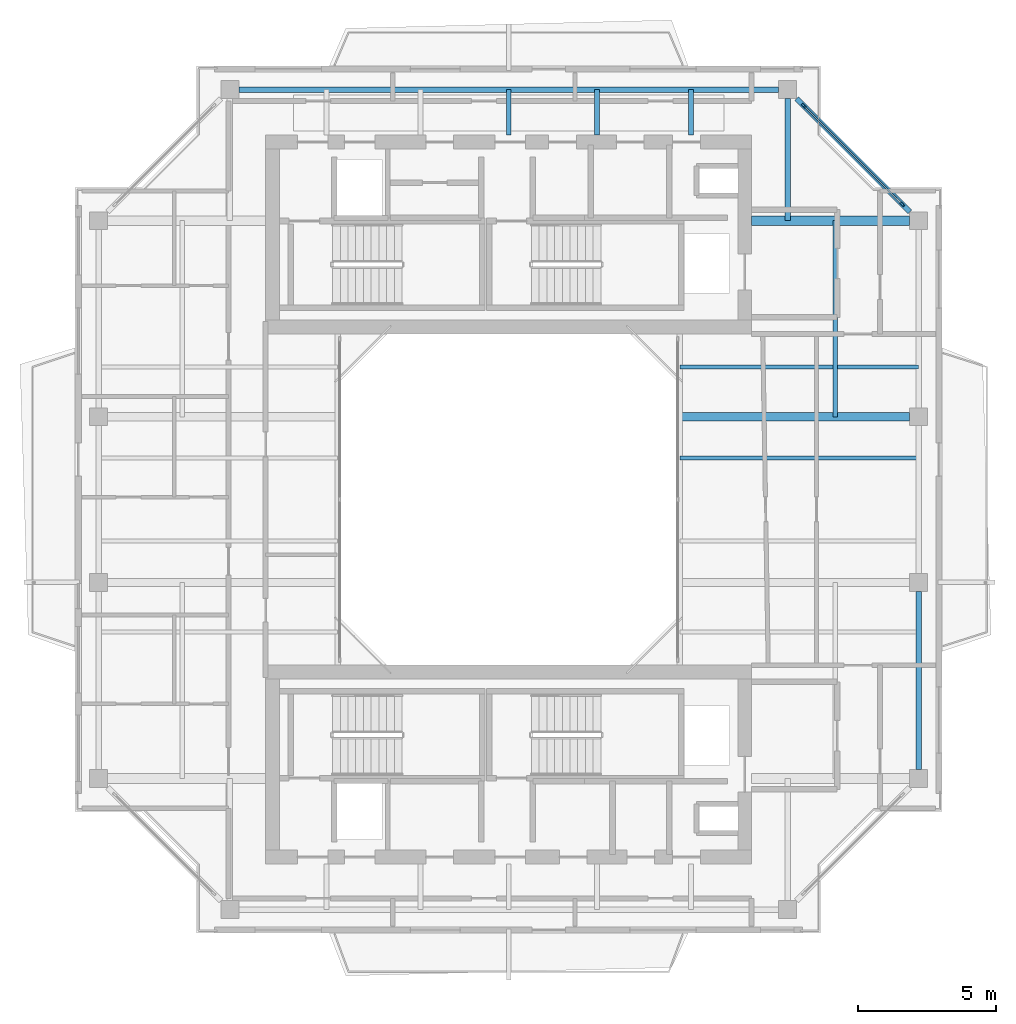
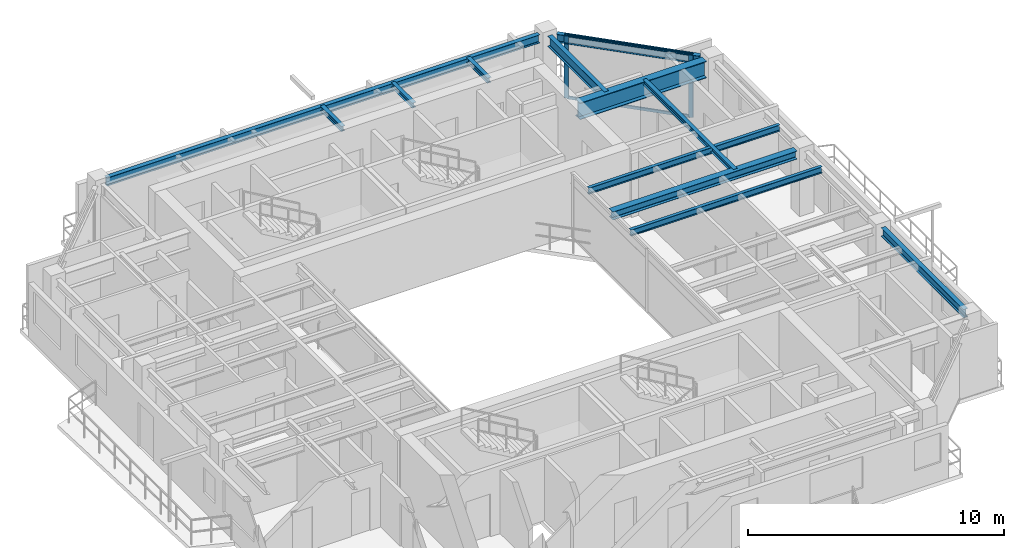
# One storey, part 6 of 14: 12 beams, 4 members, 1 element without a shape of its own.
"""IFC4 building model written with IfcOpenShell, lengths in metres."""

from ifc_helpers import new_model, si_unit, direction, frame, origin, origin_2d, place, context, subcontext, project, spatial, rectangle, i_section, extrude, source, transform, mapped, material, layer, layer_set, material_profile, profile_set, type_object, element, aggregate, save


model = new_model("IFC4")

# Units and contexts
model_context = context("Model", 3, precision=1e-05, world=origin(), true_north=direction((0.0, 1.0)))
body_context = subcontext(model_context, "Body", "Model", "MODEL_VIEW")
ifc_project = project(units=[si_unit("LENGTHUNIT", "METRE"), si_unit("AREAUNIT", "SQUARE_METRE"), si_unit("VOLUMEUNIT", "CUBIC_METRE"), si_unit("PLANEANGLEUNIT", "RADIAN"), si_unit("MASSUNIT", "GRAM", prefix="KILO"), si_unit("THERMODYNAMICTEMPERATUREUNIT", "KELVIN"), si_unit("POWERUNIT", "WATT")], contexts=[model_context])

# Site, building, storey
site_placement = place(None, origin())
site = spatial("IfcSite", under=ifc_project, at=site_placement, CompositionType="ELEMENT")
building_placement = place(site_placement, origin())
building = spatial("IfcBuilding", under=site, at=building_placement, Name="Qiaomeng Ring Towers", CompositionType="ELEMENT")
storey_placement = place(building_placement, frame((0.0, 0.0, 260.0)))
storey = spatial("IfcBuildingStorey", under=building, at=storey_placement, Name="L76", CompositionType="ELEMENT", Elevation=260.0)

# Beams
ifc_material_1 = material(Name="Steel Q355B", Category="steel")
ifc_material_profile_1 = material_profile(ifc_material_1, i_section(OverallWidth=0.198974609375, OverallDepth=0.39599609375, WebThickness=0.007080078125, FlangeThickness=0.010986328125, FilletRadius=0.01611328125, at=origin_2d()), Name="HN 396x199x7x11")
ifc_profile_set_1 = profile_set([ifc_material_profile_1], Name="Steel Q355B")
beam_type_1 = type_object("IfcBeamType", Name="STR-BM-HN396", PredefinedType="SPANDREL", material=ifc_profile_set_1)
shared_shape_1 = source(origin(), body_context, "Body", "SweptSolid", [
    extrude(i_section(OverallWidth=0.198974609375, OverallDepth=0.39599609375, WebThickness=0.007080078125, FlangeThickness=0.010986328125, FilletRadius=0.01611328125, at=origin_2d()), origin(), (0.0, 0.0, 1.0), 19.5517578125),
])
beam_1_placement = place(storey_placement, frame((28.77587890625, 37.85009765625, 2.83203125), z_axis=(-1.0, 0.0, 0.0), x_axis=(0.0, -1.0, 0.0)))
element("IfcBeam", 1, at=beam_1_placement, inside=storey, type_object=beam_type_1, Name="L76 beam STR-SP-L76-T1-N2-N1", PredefinedType="SPANDREL", context=body_context, shape_type="MappedRepresentation", body=[
    mapped(shared_shape_1, transform((0.0, 0.0, 0.0), x_axis=(1.0, 0.0, 0.0), y_axis=(0.0, 1.0, 0.0), z_axis=(0.0, 0.0, 1.0), scale=1.0)),
])
shared_shape_2 = source(origin(), body_context, "Body", "SweptSolid", [
    extrude(i_section(OverallWidth=0.198974609375, OverallDepth=0.39599609375, WebThickness=0.007080078125, FlangeThickness=0.010986328125, FilletRadius=0.01611328125, at=origin_2d()), origin(), (0.0, 0.0, 1.0), 5.800048828125),
])
beam_2_placement = place(storey_placement, frame((33.525634765625, 33.42431640625, 2.83203125), z_axis=(-0.707106781187, 0.707106781187, 0.0), x_axis=(-0.707106781187, -0.707106781187, 0.0)))
element("IfcBeam", 2, at=beam_2_placement, inside=storey, type_object=beam_type_1, Name="L76 beam STR-SP-L76-T1-E4-N2", PredefinedType="SPANDREL", context=body_context, shape_type="MappedRepresentation", body=[
    mapped(shared_shape_2, transform((0.0, 0.0, 0.0), x_axis=(1.0, 0.0, 0.0), y_axis=(0.0, 1.0, 0.0), z_axis=(0.0, 0.0, 1.0), scale=1.0)),
])
shared_shape_3 = source(origin(), body_context, "Body", "SweptSolid", [
    extrude(i_section(OverallWidth=0.198974609375, OverallDepth=0.39599609375, WebThickness=0.007080078125, FlangeThickness=0.010986328125, FilletRadius=0.01611328125, at=origin_2d()), origin(), (0.0, 0.0, 1.0), 6.451904296875),
])
beam_3_placement = place(storey_placement, frame((33.85009765625, 13.22412109375, 2.83203125), z_axis=(0.0, 1.0, 0.0), x_axis=(-1.0, 0.0, 0.0)))
element("IfcBeam", 3, at=beam_3_placement, inside=storey, type_object=beam_type_1, Name="L76 beam STR-SP-L76-T1-E1-E2", PredefinedType="SPANDREL", context=body_context, shape_type="MappedRepresentation", body=[
    mapped(shared_shape_3, transform((0.0, 0.0, 0.0), x_axis=(1.0, 0.0, 0.0), y_axis=(0.0, 1.0, 0.0), z_axis=(0.0, 0.0, 1.0), scale=1.0)),
])
ifc_material_2 = material(Name="Steel Q390GJC", Category="steel")
ifc_material_profile_2 = material_profile(ifc_material_2, i_section(OverallWidth=0.35009765625, OverallDepth=0.800048828125, WebThickness=0.01611328125, FlangeThickness=0.028076171875, at=origin_2d()), Name="WH 800x350x16x28")
ifc_profile_set_2 = profile_set([ifc_material_profile_2], Name="Steel Q390GJC")
beam_type_2 = type_object("IfcBeamType", Name="STR-BM-WH800", PredefinedType="BEAM", material=ifc_profile_set_2)
shared_shape_4 = source(origin(), body_context, "Body", "SweptSolid", [
    extrude(i_section(OverallWidth=0.35009765625, OverallDepth=0.800048828125, WebThickness=0.01611328125, FlangeThickness=0.028076171875, at=origin_2d()), origin(), (0.0, 0.0, 1.0), 5.725830078125),
])
beam_4_placement = place(storey_placement, frame((27.800048828125, 33.10009765625, 2.6298828125), z_axis=(1.0, 0.0, 0.0), x_axis=(0.0, 1.0, 0.0)))
element("IfcBeam", 4, at=beam_4_placement, inside=storey, type_object=beam_type_2, Name="L76 beam STR-BM-L76-T1-RAD-E4", PredefinedType="BEAM", context=body_context, shape_type="MappedRepresentation", body=[
    mapped(shared_shape_4, transform((0.0, 0.0, 0.0), x_axis=(1.0, 0.0, 0.0), y_axis=(0.0, 1.0, 0.0), z_axis=(0.0, 0.0, 1.0), scale=1.0)),
])
ifc_material_profile_3 = material_profile(ifc_material_1, i_section(OverallWidth=0.198974609375, OverallDepth=0.49609375, WebThickness=0.009033203125, FlangeThickness=0.013916015625, FilletRadius=0.01806640625, at=origin_2d()), Name="HN 496x199x9x14")
ifc_profile_set_3 = profile_set([ifc_material_profile_3], Name="Steel Q355B")
beam_type_3 = type_object("IfcBeamType", Name="STR-BM-HN496", PredefinedType="BEAM", material=ifc_profile_set_3)
shared_shape_5 = source(origin(), body_context, "Body", "SweptSolid", [
    extrude(i_section(OverallWidth=0.198974609375, OverallDepth=0.49609375, WebThickness=0.009033203125, FlangeThickness=0.013916015625, FilletRadius=0.01806640625, at=origin_2d()), origin(), (0.0, 0.0, 1.0), 4.42578125),
])
beam_5_placement = place(storey_placement, frame((29.10009765625, 37.52587890625, 2.781982421875), z_axis=(0.0, -1.0, 0.0), x_axis=(1.0, 0.0, 0.0)))
element("IfcBeam", 5, at=beam_5_placement, inside=storey, type_object=beam_type_3, Name="L76 beam STR-BM-L76-T1-RAD-N2", PredefinedType="BEAM", context=body_context, shape_type="MappedRepresentation", body=[
    mapped(shared_shape_5, transform((0.0, 0.0, 0.0), x_axis=(1.0, 0.0, 0.0), y_axis=(0.0, 1.0, 0.0), z_axis=(0.0, 0.0, 1.0), scale=1.0)),
])
ifc_material_profile_4 = material_profile(ifc_material_1, i_section(OverallWidth=0.300048828125, OverallDepth=0.389892578125, WebThickness=0.010009765625, FlangeThickness=0.01611328125, FilletRadius=0.02197265625, at=origin_2d()), Name="HM 390x300x10x16")
ifc_profile_set_4 = profile_set([ifc_material_profile_4], Name="Steel Q355B")
beam_type_4 = type_object("IfcBeamType", Name="STR-BM-HM390", PredefinedType="BEAM", material=ifc_profile_set_4)
shared_shape_6 = source(origin(), body_context, "Body", "SweptSolid", [
    extrude(i_section(OverallWidth=0.300048828125, OverallDepth=0.389892578125, WebThickness=0.010009765625, FlangeThickness=0.01611328125, FilletRadius=0.02197265625, at=origin_2d()), origin(), (0.0, 0.0, 1.0), 8.325927734375),
])
beam_6_placement = place(storey_placement, frame((25.199951171875, 26.0, 2.8349609375), z_axis=(1.0, 0.0, 0.0), x_axis=(0.0, 1.0, 0.0)))
element("IfcBeam", 6, at=beam_6_placement, inside=storey, type_object=beam_type_4, Name="L76 beam STR-BM-L76-T1-RAD-E3", PredefinedType="BEAM", context=body_context, shape_type="MappedRepresentation", body=[
    mapped(shared_shape_6, transform((0.0, 0.0, 0.0), x_axis=(1.0, 0.0, 0.0), y_axis=(0.0, 1.0, 0.0), z_axis=(0.0, 0.0, 1.0), scale=1.0)),
])
ifc_material_profile_5 = material_profile(ifc_material_1, i_section(OverallWidth=0.175048828125, OverallDepth=0.243896484375, WebThickness=0.007080078125, FlangeThickness=0.010986328125, FilletRadius=0.01611328125, at=origin_2d()), Name="HM 244x175x7x11")
ifc_profile_set_5 = profile_set([ifc_material_profile_5], Name="Steel Q355B")
beam_type_5 = type_object("IfcBeamType", Name="STR-BM-HM244", PredefinedType="JOIST", material=ifc_profile_set_5)
shared_shape_7 = source(origin(), body_context, "Body", "SweptSolid", [
    extrude(i_section(OverallWidth=0.175048828125, OverallDepth=0.243896484375, WebThickness=0.007080078125, FlangeThickness=0.010986328125, FilletRadius=0.01611328125, at=origin_2d()), origin(), (0.0, 0.0, 1.0), 1.650146484375),
])
for number, where, z_axis, x_axis, name in (
    (7, (19.0, 36.199951171875, 2.907958984375), (0.0, 1.0, 0.0), (-1.0, 0.0, 0.0), "L76 beam STR-JST-L76-T1N-3"),
    (8, (22.199951171875, 36.199951171875, 2.907958984375), (0.0, 1.0, 0.0), (-1.0, 0.0, 0.0), "L76 beam STR-JST-L76-T1N-4"),
    (9, (25.60009765625, 36.199951171875, 2.907958984375), (0.0, 1.0, 0.0), (-1.0, 0.0, 0.0), "L76 beam STR-JST-L76-T1N-5"),
):
    element("IfcBeam", number, at=place(storey_placement, frame(where, z_axis=z_axis, x_axis=x_axis)), inside=storey, type_object=beam_type_5, Name=name, PredefinedType="JOIST", context=body_context, shape_type="MappedRepresentation", body=[
        mapped(shared_shape_7, transform((0.0, 0.0, 0.0), x_axis=(1.0, 0.0, 0.0), y_axis=(0.0, 1.0, 0.0), z_axis=(0.0, 0.0, 1.0), scale=1.0)),
    ])
ifc_material_profile_6 = material_profile(ifc_material_1, i_section(OverallWidth=0.14990234375, OverallDepth=0.300048828125, WebThickness=0.006591796875, FlangeThickness=0.009033203125, FilletRadius=0.012939453125, at=origin_2d()), Name="HN 300x150x6.5x9")
ifc_profile_set_6 = profile_set([ifc_material_profile_6], Name="Steel Q355B")
beam_type_6 = type_object("IfcBeamType", Name="STR-BM-HN300", PredefinedType="JOIST", material=ifc_profile_set_6)
shared_shape_8 = source(origin(), body_context, "Body", "SweptSolid", [
    extrude(i_section(OverallWidth=0.14990234375, OverallDepth=0.300048828125, WebThickness=0.006591796875, FlangeThickness=0.009033203125, FilletRadius=0.012939453125, at=origin_2d()), origin(), (0.0, 0.0, 1.0), 8.650146484375),
])
for number, where, z_axis, x_axis, name in (
    (10, (25.199951171875, 24.5, 2.8798828125), (1.0, 0.0, 0.0), (0.0, 1.0, 0.0), "L76 beam STR-JST-L76-T1E-3"),
    (11, (25.199951171875, 27.800048828125, 2.8798828125), (1.0, 0.0, 0.0), (0.0, 1.0, 0.0), "L76 beam STR-JST-L76-T1E-4"),
):
    element("IfcBeam", number, at=place(storey_placement, frame(where, z_axis=z_axis, x_axis=x_axis)), inside=storey, type_object=beam_type_6, Name=name, PredefinedType="JOIST", context=body_context, shape_type="MappedRepresentation", body=[
        mapped(shared_shape_8, transform((0.0, 0.0, 0.0), x_axis=(1.0, 0.0, 0.0), y_axis=(0.0, 1.0, 0.0), z_axis=(0.0, 0.0, 1.0), scale=1.0)),
    ])
shared_shape_9 = source(origin(), body_context, "Body", "SweptSolid", [
    extrude(i_section(OverallWidth=0.175048828125, OverallDepth=0.243896484375, WebThickness=0.007080078125, FlangeThickness=0.010986328125, FilletRadius=0.01611328125, at=origin_2d()), origin(), (0.0, 0.0, 1.0), 7.10009765625),
])
beam_7_placement = place(storey_placement, frame((30.824951171875, 26.0, 2.907958984375), z_axis=(0.0, 1.0, 0.0), x_axis=(-1.0, 0.0, 0.0)))
element("IfcBeam", 12, at=beam_7_placement, inside=storey, type_object=beam_type_5, Name="L76 beam STR-JST-L76-T1C-EN", PredefinedType="JOIST", context=body_context, shape_type="MappedRepresentation", body=[
    mapped(shared_shape_9, transform((0.0, 0.0, 0.0), x_axis=(1.0, 0.0, 0.0), y_axis=(0.0, 1.0, 0.0), z_axis=(0.0, 0.0, 1.0), scale=1.0)),
])

# Curtain wall, members
ifc_material_3 = material(Name="Fluorocarbon dark-grey aluminium", Category="aluminium")
ifc_layer = layer(ifc_material_3, 0.14990234375, Name="Fluorocarbon dark-grey aluminium")
ifc_layer_set = layer_set([ifc_layer], Name="Fluorocarbon dark-grey aluminium")
curtain_wall_type = type_object("IfcCurtainWallType", Name="ARC-CW-3", PredefinedType="NOTDEFINED", material=ifc_layer_set)
curtain_wall_placement = place(storey_placement, origin())
curtain_wall = element("IfcCurtainWall", 13, at=curtain_wall_placement, inside=storey, type_object=curtain_wall_type, Name="L76 Curtain Wall CW3", PredefinedType="NOTDEFINED")
ifc_material_profile_7 = material_profile(ifc_material_3, rectangle(XDim=0.070068359375, YDim=0.179931640625, at=origin_2d()), Name="ALU MULL 70x180")
ifc_profile_set_7 = profile_set([ifc_material_profile_7], Name="Fluorocarbon dark-grey aluminium")
member_type_1 = type_object("IfcMemberType", Name="ARC-CWM-160", PredefinedType="MULLION", material=ifc_profile_set_7)
shared_shape_10 = source(origin(), body_context, "Body", "SweptSolid", [
    extrude(rectangle(XDim=0.070068359375, YDim=0.179931640625, at=origin_2d()), origin(), (0.0, 0.0, 1.0), 3.030029296875),
])
member_1_placement = place(storey_placement, frame((33.26025390625, 33.689697265625, 0.0), z_axis=(0.0, 0.0, 1.0), x_axis=(-0.707106781187, -0.707106781187, 0.0)))
member_1 = element("IfcMember", 14, at=member_1_placement, type_object=member_type_1, Name="CW3 mullion 1", PredefinedType="MULLION", context=body_context, shape_type="MappedRepresentation", body=[
    mapped(shared_shape_10, transform((0.0, 0.0, 0.0), x_axis=(1.0, 0.0, 0.0), y_axis=(0.0, 1.0, 0.0), z_axis=(0.0, 0.0, 1.0), scale=1.0)),
])
member_2_placement = place(storey_placement, frame((29.689697265625, 37.26025390625, 0.0), z_axis=(0.0, 0.0, 1.0), x_axis=(-0.707106781187, -0.707106781187, 0.0)))
member_2 = element("IfcMember", 15, at=member_2_placement, type_object=member_type_1, Name="CW3 mullion 2", PredefinedType="MULLION", context=body_context, shape_type="MappedRepresentation", body=[
    mapped(shared_shape_10, transform((0.0, 0.0, 0.0), x_axis=(1.0, 0.0, 0.0), y_axis=(0.0, 1.0, 0.0), z_axis=(0.0, 0.0, 1.0), scale=1.0)),
])
ifc_material_profile_8 = material_profile(ifc_material_3, rectangle(XDim=0.06494140625, YDim=0.1298828125, at=origin_2d()), Name="ALU TRAN 65x130")
ifc_profile_set_8 = profile_set([ifc_material_profile_8], Name="Fluorocarbon dark-grey aluminium")
member_type_2 = type_object("IfcMemberType", Name="ARC-CWT-120", PredefinedType="USERDEFINED", material=ifc_profile_set_8)
shared_shape_11 = source(origin(), body_context, "Body", "SweptSolid", [
    extrude(rectangle(XDim=0.06494140625, YDim=0.1298828125, at=origin_2d()), origin(), (0.0, 0.0, 1.0), 4.9794921875),
])
member_3_placement = place(storey_placement, frame((33.235595703125, 33.714599609375, 0.032470703125), z_axis=(-0.707106781187, 0.707106781187, 0.0), x_axis=(-0.707106781187, -0.707106781187, 0.0)))
member_3 = element("IfcMember", 16, at=member_3_placement, type_object=member_type_2, Name="CW3 transom 1.1", ObjectType="TRANSOM", PredefinedType="USERDEFINED", context=body_context, shape_type="MappedRepresentation", body=[
    mapped(shared_shape_11, transform((0.0, 0.0, 0.0), x_axis=(1.0, 0.0, 0.0), y_axis=(0.0, 1.0, 0.0), z_axis=(0.0, 0.0, 1.0), scale=1.0)),
])
member_4_placement = place(storey_placement, frame((33.235595703125, 33.714599609375, 2.99755859375), z_axis=(-0.707106781187, 0.707106781187, 0.0), x_axis=(-0.707106781187, -0.707106781187, 0.0)))
member_4 = element("IfcMember", 17, at=member_4_placement, type_object=member_type_2, Name="CW3 transom 1.2", ObjectType="TRANSOM", PredefinedType="USERDEFINED", context=body_context, shape_type="MappedRepresentation", body=[
    mapped(shared_shape_11, transform((0.0, 0.0, 0.0), x_axis=(1.0, 0.0, 0.0), y_axis=(0.0, 1.0, 0.0), z_axis=(0.0, 0.0, 1.0), scale=1.0)),
])
aggregate(curtain_wall, [member_1, member_2, member_3, member_4])

save(model, "model.ifc")
